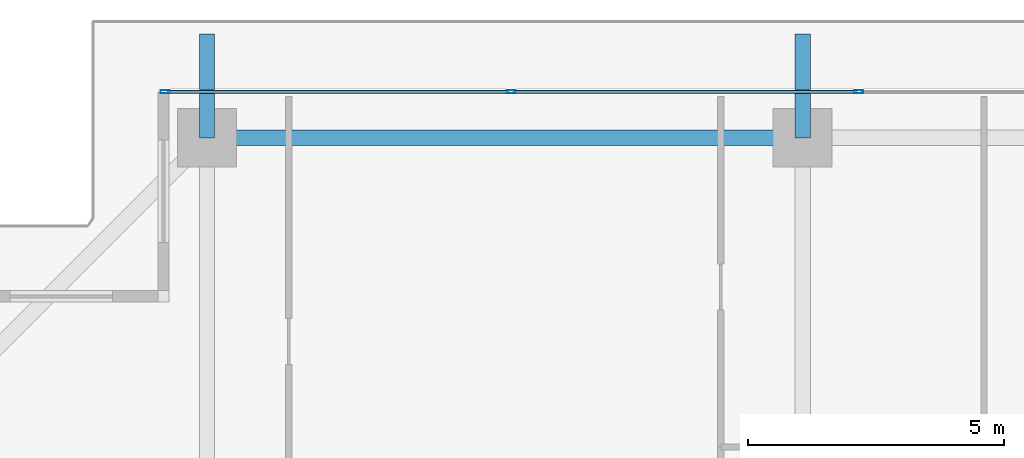
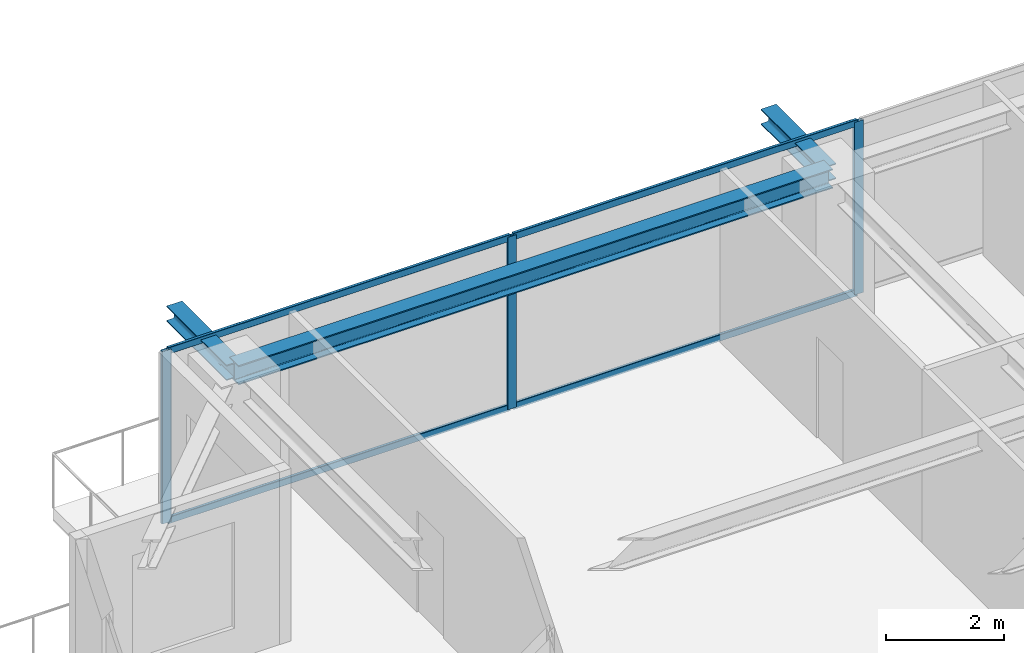
# One storey, part 19 of 36: 7 members, 3 beams, 1 element without a shape of its own.
"""IFC4 building model written with IfcOpenShell, lengths in metres."""

from ifc_helpers import new_model, si_unit, direction, frame, origin, origin_2d, place, context, subcontext, project, spatial, hollow_rectangle, i_section, extrude, source, transform, mapped, material, layer, layer_set, material_profile, profile_set, type_object, element, aggregate, save


model = new_model("IFC4")

# Units and contexts
model_context = context("Model", 3, precision=1e-05, world=origin(), true_north=direction((0.0, 1.0)))
body_context = subcontext(model_context, "Body", "Model", "MODEL_VIEW")
ifc_project = project(units=[si_unit("LENGTHUNIT", "METRE"), si_unit("AREAUNIT", "SQUARE_METRE"), si_unit("VOLUMEUNIT", "CUBIC_METRE"), si_unit("PLANEANGLEUNIT", "RADIAN"), si_unit("MASSUNIT", "GRAM", prefix="KILO")], contexts=[model_context])

# Site, building, storey
site_placement = place(None, origin())
site = spatial("IfcSite", under=ifc_project, at=site_placement, CompositionType="ELEMENT")
building_placement = place(site_placement, origin())
building = spatial("IfcBuilding", under=site, at=building_placement, Name="Serunith Strait Residences", CompositionType="ELEMENT")
storey_placement = place(building_placement, frame((0.0, 0.0, 272.050048828125)))
storey = spatial("IfcBuildingStorey", under=building, at=storey_placement, Name="L68", CompositionType="ELEMENT", Elevation=272.050048828125)

# Beams
ifc_material_1 = material(Name="Steel S355J2", Category="steel")
ifc_material_profile_1 = material_profile(ifc_material_1, i_section(OverallWidth=0.300048828125, OverallDepth=0.39990234375, WebThickness=0.013427734375, FlangeThickness=0.02392578125, FilletRadius=0.027099609375, at=origin_2d()), Name="HEB 400")
ifc_profile_set_1 = profile_set([ifc_material_profile_1], Name="Steel S355J2")
beam_type_1 = type_object("IfcBeamType", Name="BM-HEB400", PredefinedType="BEAM", material=ifc_profile_set_1)
shared_shape_1 = source(origin(), body_context, "Body", "SweptSolid", [
    extrude(i_section(OverallWidth=0.300048828125, OverallDepth=0.39990234375, WebThickness=0.013427734375, FlangeThickness=0.02392578125, FilletRadius=0.027099609375, at=origin_2d()), origin(), (0.0, 0.0, 1.0), 11.64990234375),
])
beam_placement = place(storey_placement, frame((27.89990234375, 48.300048828125, 3.386962890625), z_axis=(-1.0, 0.0, 0.0), x_axis=(0.0, -1.0, 0.0)))
element("IfcBeam", 1, at=beam_placement, inside=storey, type_object=beam_type_1, Name="L68 Perimeter Ring Beam 11", PredefinedType="BEAM", context=body_context, shape_type="MappedRepresentation", body=[
    mapped(shared_shape_1, transform((0.0, 0.0, 0.0), scale=1.0)),
])
ifc_material_profile_2 = material_profile(ifc_material_1, i_section(OverallWidth=0.300048828125, OverallDepth=0.320068359375, WebThickness=0.011474609375, FlangeThickness=0.0205078125, FilletRadius=0.027099609375, at=origin_2d()), Name="HEB 320")
ifc_profile_set_2 = profile_set([ifc_material_profile_2], Name="Steel S355J2")
beam_type_2 = type_object("IfcBeamType", Name="BM-HEB320", PredefinedType="BEAM", material=ifc_profile_set_2)
shared_shape_2 = source(origin(), body_context, "Body", "SweptSolid", [
    extrude(i_section(OverallWidth=0.300048828125, OverallDepth=0.320068359375, WebThickness=0.011474609375, FlangeThickness=0.0205078125, FilletRadius=0.027099609375, at=origin_2d()), origin(), (0.0, 0.0, 1.0), 2.030029296875),
])
for number, where, z_axis, x_axis, name in (
    (2, (16.25, 48.300048828125, 3.39697265625), (0.0, 1.0, 0.0), (-1.0, 0.0, 0.0), "L69 Cantilevered Balcony Rib TC-N1"),
    (3, (27.89990234375, 48.300048828125, 3.39697265625), (0.0, 1.0, 0.0), (-1.0, 0.0, 0.0), "L69 Cantilevered Balcony Rib TC-N2"),
):
    element("IfcBeam", number, at=place(storey_placement, frame(where, z_axis=z_axis, x_axis=x_axis)), inside=storey, type_object=beam_type_2, Name=name, PredefinedType="BEAM", context=body_context, shape_type="MappedRepresentation", body=[
        mapped(shared_shape_2, transform((0.0, 0.0, 0.0), scale=1.0)),
    ])

# Curtain wall, members
ifc_material_2 = material(Name="Pale-Champagne Anodised Aluminium", Category="aluminium")
ifc_layer = layer(ifc_material_2, 0.199951171875, Name="Pale-Champagne Anodised Aluminium")
ifc_layer_set = layer_set([ifc_layer], Name="Pale-Champagne Anodised Aluminium")
curtain_wall_type = type_object("IfcCurtainWallType", Name="CW-SYS4", PredefinedType="NOTDEFINED", material=ifc_layer_set)
curtain_wall_placement = place(storey_placement, origin())
curtain_wall = element("IfcCurtainWall", 4, at=curtain_wall_placement, inside=storey, type_object=curtain_wall_type, Name="L68 N Unitised Fritted Curtain Wall", PredefinedType="NOTDEFINED")
ifc_material_profile_3 = material_profile(ifc_material_2, hollow_rectangle(XDim=0.06494140625, YDim=0.179931640625, WallThickness=0.00341796875, InnerFilletRadius=0.00537109375, OuterFilletRadius=0.0087890625, at=origin_2d()), Name="ALU 180x65x3.5")
ifc_profile_set_3 = profile_set([ifc_material_profile_3], Name="Pale-Champagne Anodised Aluminium")
member_type_1 = type_object("IfcMemberType", Name="CW-SYS4-MULL", PredefinedType="MULLION", material=ifc_profile_set_3)
shared_shape_3 = source(origin(), body_context, "Body", "SweptSolid", [
    extrude(hollow_rectangle(XDim=0.06494140625, YDim=0.179931640625, WallThickness=0.00341796875, InnerFilletRadius=0.00537109375, OuterFilletRadius=0.0087890625, at=origin_2d()), origin(), (0.0, 0.0, 1.0), 3.574951171875),
])
member_1_placement = place(storey_placement, frame((29.0, 49.199951171875, 0.0), z_axis=(0.0, 0.0, 1.0), x_axis=(0.0, -1.0, 0.0)))
member_1 = element("IfcMember", 5, at=member_1_placement, type_object=member_type_1, Name="CW-4 mullion 4", PredefinedType="MULLION", context=body_context, shape_type="MappedRepresentation", body=[
    mapped(shared_shape_3, transform((0.0, 0.0, 0.0), scale=1.0)),
])
member_2_placement = place(storey_placement, frame((22.199951171875, 49.199951171875, 0.0), z_axis=(0.0, 0.0, 1.0), x_axis=(0.0, -1.0, 0.0)))
member_2 = element("IfcMember", 6, at=member_2_placement, type_object=member_type_1, Name="CW-4 mullion 5", PredefinedType="MULLION", context=body_context, shape_type="MappedRepresentation", body=[
    mapped(shared_shape_3, transform((0.0, 0.0, 0.0), scale=1.0)),
])
member_3_placement = place(storey_placement, frame((15.4326171875, 49.199951171875, 0.0), z_axis=(0.0, 0.0, 1.0), x_axis=(0.0, -1.0, 0.0)))
member_3 = element("IfcMember", 7, at=member_3_placement, type_object=member_type_1, Name="CW-4 mullion 6", PredefinedType="MULLION", context=body_context, shape_type="MappedRepresentation", body=[
    mapped(shared_shape_3, transform((0.0, 0.0, 0.0), scale=1.0)),
])
ifc_material_profile_4 = material_profile(ifc_material_2, hollow_rectangle(XDim=0.06005859375, YDim=0.139892578125, WallThickness=0.00341796875, InnerFilletRadius=0.00537109375, OuterFilletRadius=0.0087890625, at=origin_2d()), Name="ALU 140x60x3.5")
ifc_profile_set_4 = profile_set([ifc_material_profile_4], Name="Pale-Champagne Anodised Aluminium")
member_type_2 = type_object("IfcMemberType", Name="CW-SYS4-TRAN", PredefinedType="USERDEFINED", material=ifc_profile_set_4)
shared_shape_4 = source(origin(), body_context, "Body", "SweptSolid", [
    extrude(hollow_rectangle(XDim=0.06005859375, YDim=0.139892578125, WallThickness=0.00341796875, InnerFilletRadius=0.00537109375, OuterFilletRadius=0.0087890625, at=origin_2d()), origin(), (0.0, 0.0, 1.0), 6.702392578125),
])
member_4_placement = place(storey_placement, frame((22.16748046875, 49.199951171875, 0.030029296875), z_axis=(-1.0, 0.0, 0.0), x_axis=(0.0, -1.0, 0.0)))
member_4 = element("IfcMember", 8, at=member_4_placement, type_object=member_type_2, Name="CW-4 transom 5.1", ObjectType="TRANSOM", PredefinedType="USERDEFINED", context=body_context, shape_type="MappedRepresentation", body=[
    mapped(shared_shape_4, transform((0.0, 0.0, 0.0), scale=1.0)),
])
member_5_placement = place(storey_placement, frame((22.16748046875, 49.199951171875, 3.544921875), z_axis=(-1.0, 0.0, 0.0), x_axis=(0.0, -1.0, 0.0)))
member_5 = element("IfcMember", 9, at=member_5_placement, type_object=member_type_2, Name="CW-4 transom 5.2", ObjectType="TRANSOM", PredefinedType="USERDEFINED", context=body_context, shape_type="MappedRepresentation", body=[
    mapped(shared_shape_4, transform((0.0, 0.0, 0.0), scale=1.0)),
])
shared_shape_5 = source(origin(), body_context, "Body", "SweptSolid", [
    extrude(hollow_rectangle(XDim=0.06005859375, YDim=0.139892578125, WallThickness=0.00341796875, InnerFilletRadius=0.00537109375, OuterFilletRadius=0.0087890625, at=origin_2d()), origin(), (0.0, 0.0, 1.0), 6.735107421875),
])
member_6_placement = place(storey_placement, frame((28.967529296875, 49.199951171875, 0.030029296875), z_axis=(-1.0, 0.0, 0.0), x_axis=(0.0, -1.0, 0.0)))
member_6 = element("IfcMember", 10, at=member_6_placement, type_object=member_type_2, Name="CW-4 transom 4.1", ObjectType="TRANSOM", PredefinedType="USERDEFINED", context=body_context, shape_type="MappedRepresentation", body=[
    mapped(shared_shape_5, transform((0.0, 0.0, 0.0), scale=1.0)),
])
member_7_placement = place(storey_placement, frame((28.967529296875, 49.199951171875, 3.544921875), z_axis=(-1.0, 0.0, 0.0), x_axis=(0.0, -1.0, 0.0)))
member_7 = element("IfcMember", 11, at=member_7_placement, type_object=member_type_2, Name="CW-4 transom 4.2", ObjectType="TRANSOM", PredefinedType="USERDEFINED", context=body_context, shape_type="MappedRepresentation", body=[
    mapped(shared_shape_5, transform((0.0, 0.0, 0.0), scale=1.0)),
])
aggregate(curtain_wall, [member_1, member_2, member_3, member_6, member_7, member_4, member_5])

save(model, "model.ifc")
